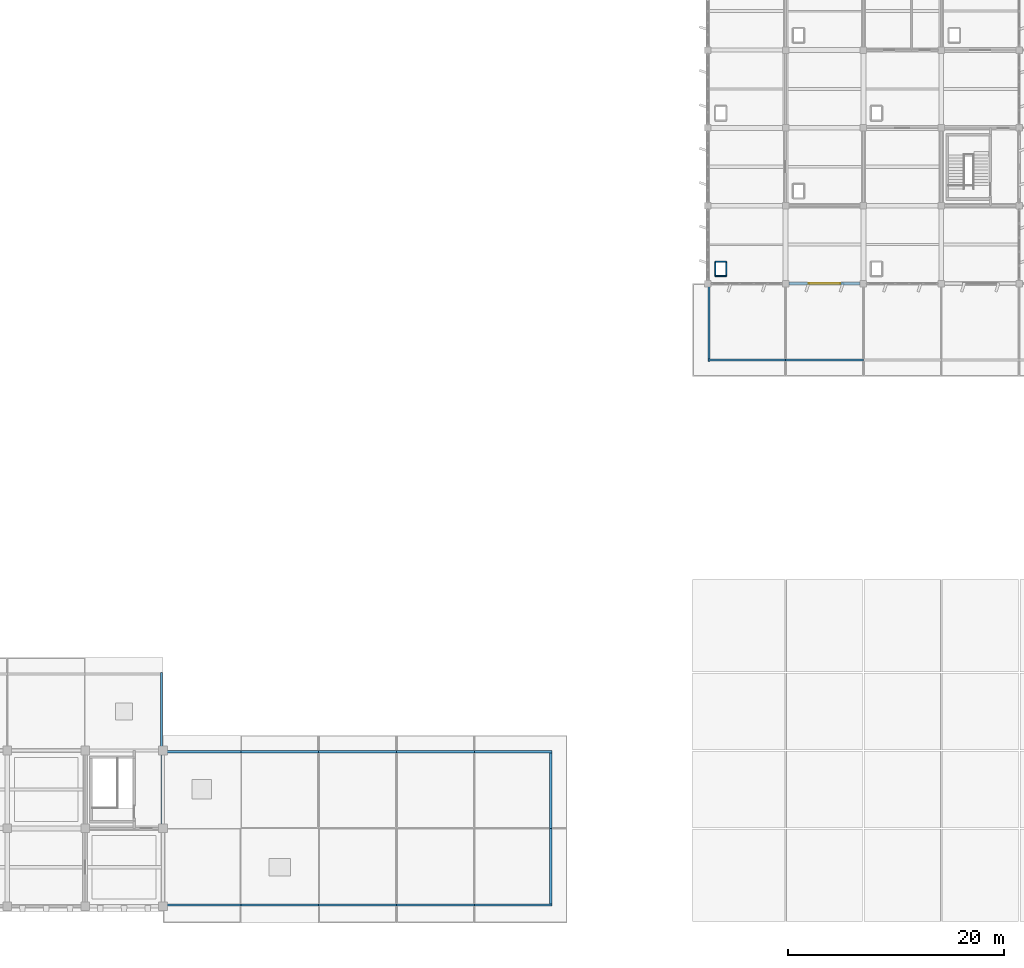
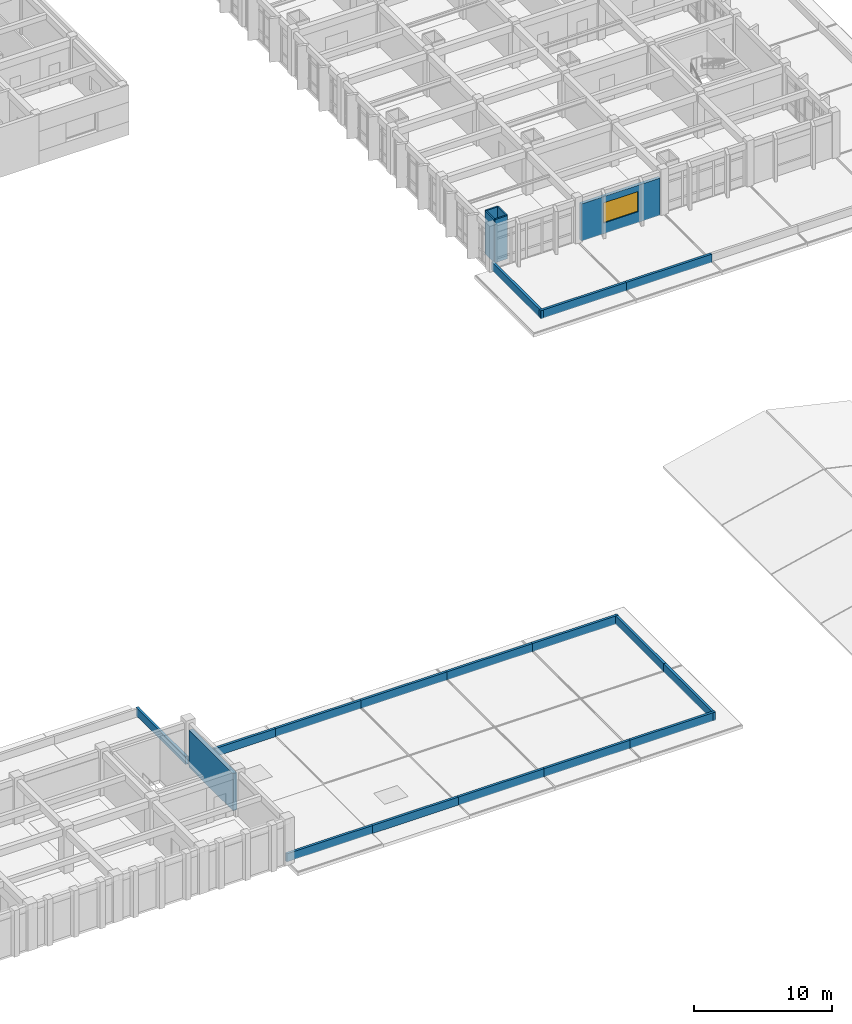
# One storey, part 50 of 62: 22 walls, 1 window, 1 opening.
"""IFC4 building model written with IfcOpenShell, lengths in metres."""

import ifcopenshell
import ifcopenshell.guid

model = None  # the IFC model being written
_history = None  # IfcOwnerHistory: only IFC2X3 demands one
_inside = {}  # id of a spatial element -> (the spatial element, [elements in it])
_under = {}  # id of a project, library or spatial element -> (it, [spatial elements below it])
_declared = {}  # id of a project -> (the project, [libraries it declares])
_typed = {}  # id of a type object -> (the type object, [elements of that type])
_made_of = {}  # id of a material, layer set ... -> (it, [elements and type objects made of it])


def new_model(schema):
    """Start an empty IFC model of exactly this schema.

    Asked for "IFC4X3", IfcOpenShell would pick the latest addendum, in which some entities
    have other attributes; the version numbers below select the first issue.
    IFC2X3 requires an IfcOwnerHistory on every rooted entity: one is made here for all.
    """
    global model, _history
    if schema == "IFC4X3":
        model = ifcopenshell.file(schema_version=(4, 3, 0, 0))
    else:
        model = ifcopenshell.file(schema=schema)
    _inside.clear()
    _under.clear()
    _declared.clear()
    _typed.clear()
    _made_of.clear()
    _history = None
    if model.schema == "IFC2X3":
        org = make("IfcOrganization", Name="unknown")
        user = make(
            "IfcPersonAndOrganization",
            ThePerson=make("IfcPerson", FamilyName="unknown"),
            TheOrganization=org,
        )
        app = make(
            "IfcApplication",
            ApplicationDeveloper=org,
            Version="unknown",
            ApplicationFullName="unknown",
            ApplicationIdentifier="unknown",
        )
        _history = make(
            "IfcOwnerHistory",
            OwningUser=user,
            OwningApplication=app,
            ChangeAction="ADDED",
            CreationDate=0,
        )
    return model


def make(cls, **values):
    """One entity of the class cls with the attributes given. An attribute that is None is left unset."""
    return model.create_entity(
        cls, **{name: value for name, value in values.items() if value is not None}
    )


def rooted(cls, **values):
    """An entity with a GlobalId (a new one), such as an element, a storey or a relation."""
    return make(cls, GlobalId=ifcopenshell.guid.new(), OwnerHistory=_history, **values)


def si_unit(unit_type, name, prefix=None):
    """IfcSIUnit, for example si_unit("LENGTHUNIT", "METRE", prefix="MILLI")."""
    return make("IfcSIUnit", UnitType=unit_type, Prefix=prefix, Name=name)


def assignment(units):
    """IfcUnitAssignment: the units of a project."""
    return None if units is None else make("IfcUnitAssignment", Units=units)


def point(xyz):
    """IfcCartesianPoint."""
    return None if xyz is None else make("IfcCartesianPoint", Coordinates=xyz)


def direction(xyz):
    """IfcDirection."""
    return None if xyz is None else make("IfcDirection", DirectionRatios=xyz)


def frame(location, z_axis=None, x_axis=None):
    """IfcAxis2Placement3D, a coordinate frame: its origin and axes. An axis left out is left unset."""
    return make(
        "IfcAxis2Placement3D",
        Location=point(location),
        Axis=direction(z_axis),
        RefDirection=direction(x_axis),
    )


def frame_2d(location, x_axis=None):
    """IfcAxis2Placement2D, a coordinate frame in the plane: its origin and x axis."""
    return make(
        "IfcAxis2Placement2D", Location=point(location), RefDirection=direction(x_axis)
    )


def origin():
    """The frame at (0, 0, 0) with its axes left unset."""
    return frame((0.0, 0.0, 0.0))


def place(relative_to, where):
    """IfcLocalPlacement: puts the frame where relative to a parent placement (None: the world)."""
    return make(
        "IfcLocalPlacement", PlacementRelTo=relative_to, RelativePlacement=where
    )


def context(
    kind, dimensions, precision=None, world=None, true_north=None, identifier=None
):
    """IfcGeometricRepresentationContext, for example the 3D "Model" context."""
    return make(
        "IfcGeometricRepresentationContext",
        ContextIdentifier=identifier,
        ContextType=kind,
        CoordinateSpaceDimension=dimensions,
        Precision=precision,
        WorldCoordinateSystem=world,
        TrueNorth=true_north,
    )


def subcontext(parent, identifier, kind, view, scale=None):
    """IfcGeometricRepresentationSubContext, for example "Body" below "Model"."""
    return make(
        "IfcGeometricRepresentationSubContext",
        ContextIdentifier=identifier,
        ContextType=kind,
        ParentContext=parent,
        TargetScale=scale,
        TargetView=view,
    )


def project(units=None, contexts=None):
    """IfcProject with its units and contexts."""
    return rooted(
        "IfcProject",
        Name="project",
        RepresentationContexts=contexts,
        UnitsInContext=assignment(units),
    )


def spatial(cls, under=None, at=None, **own):
    """A site, building, storey or space (cls), placed at a placement, below another one or the project."""
    s = rooted(cls, ObjectPlacement=at, **own)
    if under is not None:
        _under.setdefault(under.id(), (under, []))[1].append(s)
    return s


def profile(cls, at=None, kind="AREA", **sizes):
    """A parametric profile (cls). Its sizes go by their IFC names, for example OverallWidth=200.0."""
    return make(cls, ProfileType=kind, Position=at, **sizes)


def rectangle(**sizes):
    """IfcRectangleProfileDef."""
    return profile("IfcRectangleProfileDef", **sizes)


def extrude(swept, where, along, depth):
    """IfcExtrudedAreaSolid: the profile swept, set in the frame where, extruded along a direction by depth."""
    return make(
        "IfcExtrudedAreaSolid",
        SweptArea=swept,
        Position=where,
        ExtrudedDirection=direction(along),
        Depth=depth,
    )


def shape(context_of_items, identifier, shape_type, items):
    """IfcShapeRepresentation: the items that make up one representation, for example the "Body"."""
    return make(
        "IfcShapeRepresentation",
        ContextOfItems=context_of_items,
        RepresentationIdentifier=identifier,
        RepresentationType=shape_type,
        Items=items,
    )


def material(Name=None, Category=None):
    """IfcMaterial."""
    return make("IfcMaterial", Name=Name, Category=Category)


def layer(
    of_material, thickness, ventilated=None, Name=None, Category=None, Priority=None
):
    """IfcMaterialLayer: one layer of a wall or slab, of a material (None: an air gap)."""
    return make(
        "IfcMaterialLayer",
        Material=of_material,
        LayerThickness=thickness,
        IsVentilated=ventilated,
        Name=Name,
        Category=Category,
        Priority=Priority,
    )


def layer_set(layers, Name=None):
    """IfcMaterialLayerSet."""
    return make("IfcMaterialLayerSet", MaterialLayers=layers, LayerSetName=Name)


def made_of(thing, what):
    """Note that an element or type object is made of a material, layer set ...; save() writes the relation."""
    if what is not None:
        _made_of.setdefault(what.id(), (what, []))[1].append(thing)
    return thing


def type_object(cls, material=None, **own):
    """A type object (cls), such as IfcWallType, which elements share."""
    return made_of(rooted(cls, **own), material)


def element(
    cls,
    number,
    at=None,
    inside=None,
    cuts=None,
    type_object=None,
    material=None,
    context=None,
    identifier="Body",
    shape_type=None,
    held_by="IfcProductDefinitionShape",
    body=None,
    shapes=None,
    **own,
):
    """One element of the class cls, such as IfcWall. Its Tag is "e" and its number.

    at: its placement. inside: the storey or other place that contains it. cuts: it is an
    opening in that element (IfcRelVoidsElement). A single representation is given by context,
    identifier, shape_type and body (its items); several are given by shapes. held_by: the class
    of the entity that holds the representations. save() writes the other relations.
    """
    e = rooted(cls, Tag="e%d" % number, ObjectPlacement=at, **own)
    if body is not None:
        shapes = [shape(context, identifier, shape_type, body)]
    if shapes is not None:
        e.Representation = make(held_by, Representations=shapes)
    if inside is not None:
        _inside.setdefault(inside.id(), (inside, []))[1].append(e)
    if cuts is not None:
        rooted(
            "IfcRelVoidsElement", RelatingBuildingElement=cuts, RelatedOpeningElement=e
        )
    if type_object is not None:
        _typed.setdefault(type_object.id(), (type_object, []))[1].append(e)
    return made_of(e, material)


def fill(opening, filler):
    """IfcRelFillsElement: the door or window that sits in an opening."""
    return rooted(
        "IfcRelFillsElement",
        RelatingOpeningElement=opening,
        RelatedBuildingElement=filler,
    )


def aggregate(whole, parts):
    """IfcRelAggregates: a whole, such as a stair, and the parts it consists of."""
    return rooted("IfcRelAggregates", RelatingObject=whole, RelatedObjects=parts)


def save(model, path):
    """Write the relations noted so far, then the file.

    IfcRelAggregates (storeys below a building ...), IfcRelContainedInSpatialStructure (elements
    in a storey), IfcRelDefinesByType, IfcRelAssociatesMaterial and IfcRelDeclares: one each for
    every whole, place, type object, material and project.
    """
    for whole, parts in _under.values():
        aggregate(whole, parts)
    for where, things in _inside.values():
        rooted(
            "IfcRelContainedInSpatialStructure",
            RelatedElements=things,
            RelatingStructure=where,
        )
    for kind, things in _typed.values():
        rooted("IfcRelDefinesByType", RelatedObjects=things, RelatingType=kind)
    for what, things in _made_of.values():
        rooted("IfcRelAssociatesMaterial", RelatedObjects=things, RelatingMaterial=what)
    for by, libraries in _declared.values():
        rooted("IfcRelDeclares", RelatingContext=by, RelatedDefinitions=libraries)
    model.write(path)


model = new_model("IFC4")

# Units and contexts
model_context = context("Model", 3, precision=1e-05, world=origin(), true_north=direction((0.0, 1.0)))
body_context = subcontext(model_context, "Body", "Model", "MODEL_VIEW")
ifc_project = project(units=[si_unit("LENGTHUNIT", "METRE"), si_unit("AREAUNIT", "SQUARE_METRE"), si_unit("VOLUMEUNIT", "CUBIC_METRE"), si_unit("PLANEANGLEUNIT", "RADIAN"), si_unit("MASSUNIT", "GRAM", prefix="KILO")], contexts=[model_context])

# Site, building, storey
site_placement = place(None, origin())
site = spatial("IfcSite", under=ifc_project, at=site_placement, CompositionType="ELEMENT")
building_placement = place(site_placement, origin())
building = spatial("IfcBuilding", under=site, at=building_placement, Name="Kavelor Marine Aquarium", CompositionType="ELEMENT")
storey_placement = place(building_placement, frame((0.0, 0.0, 13.5)))
storey = spatial("IfcBuildingStorey", under=building, at=storey_placement, Name="L03", CompositionType="ELEMENT", Elevation=13.5)

# Wall
ifc_material_1 = material(Name="Concrete C45/55", Category="concrete")
ifc_layer_1 = layer(ifc_material_1, 0.320068359375)
ifc_layer_set_1 = layer_set([ifc_layer_1], Name="WL-EX2")
wall_type_1 = type_object("IfcWallType", Name="WL-EX2", PredefinedType="STANDARD", material=ifc_layer_set_1)
wall_1_placement = place(storey_placement, frame((68.0, 16.804931640625, 0.0), z_axis=(0.0, 0.0, 1.0), x_axis=(0.0, -1.0, 0.0)))
element("IfcWall", 1, at=wall_1_placement, inside=storey, type_object=wall_type_1, Name="ew:y:L03:09_01", PredefinedType="STANDARD", context=body_context, shape_type="SweptSolid", body=[
    extrude(rectangle(XDim=6.409912109375, YDim=0.320068359375, at=frame_2d((3.205078125, 0.0))), origin(), (0.0, 0.0, 1.0), 3.300048828125),
])

# Wall, opening, window
ifc_material_2 = material(Name="Concrete C40/50", Category="concrete")
ifc_layer_2 = layer(ifc_material_2, 0.260009765625)
ifc_layer_set_2 = layer_set([ifc_layer_2], Name="WL-EX5")
wall_type_2 = type_object("IfcWallType", Name="WL-EX5", PredefinedType="STANDARD", material=ifc_layer_set_2)
wall_2_placement = place(storey_placement, frame((132.5048828125, 60.39990234375, 0.0), z_axis=(0.0, 0.0, 1.0), x_axis=(-1.0, 0.0, 0.0)))
wall_2 = element("IfcWall", 2, at=wall_2_placement, inside=storey, type_object=wall_type_2, Name="ew:x:L03:17_08", PredefinedType="STANDARD", context=body_context, shape_type="SweptSolid", body=[
    extrude(rectangle(XDim=6.60986328125, YDim=0.260009765625, at=frame_2d((3.304931640625, 0.0))), origin(), (0.0, 0.0, 1.0), 3.300048828125),
])
opening_placement = place(wall_2_placement, frame((1.85498046875, 0.0, 0.949951171875)))
opening = element("IfcOpeningElement", 3, at=opening_placement, cuts=wall_2, Name="Opening W19", PredefinedType="OPENING", context=body_context, shape_type="SweptSolid", body=[
    extrude(rectangle(XDim=2.89990234375, YDim=1.800048828125, at=frame_2d((1.449951171875, 0.89990234375))), frame((0.0, 0.139892578125, 0.0), z_axis=(0.0, -1.0, 0.0), x_axis=(1.0, 0.0, 0.0)), (0.0, 0.0, 1.0), 0.28001),
])
ifc_material_3 = material(Name="Anodised Aluminium Frame with Low-E Double Glazing", Category="aluminium")
window_type = type_object("IfcWindowType", Name="WIN-W19", PartitioningType="DOUBLE_PANEL_VERTICAL", PredefinedType="WINDOW", material=ifc_material_3)
window_placement = place(opening_placement, origin())
window = element("IfcWindow", 4, at=window_placement, inside=storey, type_object=window_type, Name="win:x:L03:17_08", OverallHeight=1.800048828125, OverallWidth=2.89990234375, PartitioningType="SINGLE_PANEL", PredefinedType="WINDOW", context=body_context, shape_type="SweptSolid", body=[
    extrude(rectangle(XDim=2.89990234375, YDim=1.800048828125, at=frame_2d((1.449951171875, 0.89990234375))), frame((0.0, 0.030029296875, 0.0), z_axis=(0.0, -1.0, 0.0), x_axis=(1.0, 0.0, 0.0)), (0.0, 0.0, 1.0), 0.06005859375),
])
fill(opening, window)

# Walls
ifc_material_4 = material(Name="Concrete C40/50", Category="concrete")
ifc_layer_3 = layer(ifc_material_4, 0.199951171875)
ifc_layer_set_3 = layer_set([ifc_layer_3], Name="WL-PR3")
wall_type_3 = type_object("IfcWallType", Name="WL-PR3", PredefinedType="PARAPET", material=ifc_layer_set_3)
for number, where, z_axis, x_axis, name in (
    (5, (67.8798828125, 17.199951171875, 0.0), (0.0, 0.0, 1.0), (0.0, 1.0, 0.0), "par:e:L03:08_02"),
    (6, (68.0, 2.919921875, 0.0), (0.0, 0.0, 1.0), (1.0, 0.0, 0.0), "par:s:L03:09_00"),
    (7, (68.0, 17.080078125, 0.0), (0.0, 0.0, 1.0), (1.0, 0.0, 0.0), "par:n:L03:09_01"),
    (8, (75.199951171875, 2.919921875, 0.0), (0.0, 0.0, 1.0), (1.0, 0.0, 0.0), "par:s:L03:10_00"),
    (9, (75.199951171875, 17.080078125, 0.0), (0.0, 0.0, 1.0), (1.0, 0.0, 0.0), "par:n:L03:10_01"),
):
    element("IfcWall", number, at=place(storey_placement, frame(where, z_axis=z_axis, x_axis=x_axis)), inside=storey, type_object=wall_type_3, Name=name, PredefinedType="PARAPET", context=body_context, shape_type="SweptSolid", body=[
        extrude(rectangle(XDim=7.199951171875, YDim=0.199951171875, at=frame_2d((3.60009765625, 0.0))), origin(), (0.0, 0.0, 1.0), 0.719970703125),
    ])
for number, where, z_axis, x_axis, name in (
    (10, (82.39990234375, 2.919921875, 0.0), (0.0, 0.0, 1.0), (1.0, 0.0, 0.0), "par:s:L03:11_00"),
    (11, (82.39990234375, 17.080078125, 0.0), (0.0, 0.0, 1.0), (1.0, 0.0, 0.0), "par:n:L03:11_01"),
):
    element("IfcWall", number, at=place(storey_placement, frame(where, z_axis=z_axis, x_axis=x_axis)), inside=storey, type_object=wall_type_3, Name=name, PredefinedType="PARAPET", context=body_context, shape_type="SweptSolid", body=[
        extrude(rectangle(XDim=7.2001953125, YDim=0.199951171875, at=frame_2d((3.60009765625, 0.0))), origin(), (0.0, 0.0, 1.0), 0.719970703125),
    ])
for number, where, z_axis, x_axis, name in (
    (12, (89.60009765625, 2.919921875, 0.0), (0.0, 0.0, 1.0), (1.0, 0.0, 0.0), "par:s:L03:12_00"),
    (13, (89.60009765625, 17.080078125, 0.0), (0.0, 0.0, 1.0), (1.0, 0.0, 0.0), "par:n:L03:12_01"),
    (14, (96.800048828125, 2.919921875, 0.0), (0.0, 0.0, 1.0), (1.0, 0.0, 0.0), "par:s:L03:13_00"),
    (15, (103.8798828125, 2.800048828125, 0.0), (0.0, 0.0, 1.0), (0.0, 1.0, 0.0), "par:e:L03:13_00"),
    (16, (96.800048828125, 17.080078125, 0.0), (0.0, 0.0, 1.0), (1.0, 0.0, 0.0), "par:n:L03:13_01"),
    (17, (103.8798828125, 10.0, 0.0), (0.0, 0.0, 1.0), (0.0, 1.0, 0.0), "par:e:L03:13_01"),
):
    element("IfcWall", number, at=place(storey_placement, frame(where, z_axis=z_axis, x_axis=x_axis)), inside=storey, type_object=wall_type_3, Name=name, PredefinedType="PARAPET", context=body_context, shape_type="SweptSolid", body=[
        extrude(rectangle(XDim=7.199951171875, YDim=0.199951171875, at=frame_2d((3.60009765625, 0.0))), origin(), (0.0, 0.0, 1.0), 0.719970703125),
    ])
wall_3_placement = place(storey_placement, frame((118.39990234375, 53.320068359375, 0.0), z_axis=(0.0, 0.0, 1.0), x_axis=(1.0, 0.0, 0.0)))
element("IfcWall", 18, at=wall_3_placement, inside=storey, type_object=wall_type_3, Name="par:s:L03:16_07", PredefinedType="PARAPET", context=body_context, shape_type="SweptSolid", body=[
    extrude(rectangle(XDim=7.2001953125, YDim=0.199951171875, at=frame_2d((3.60009765625, 0.0))), origin(), (0.0, 0.0, 1.0), 0.719970703125),
])
for number, where, z_axis, x_axis, name in (
    (19, (118.52001953125, 53.199951171875, 0.0), (0.0, 0.0, 1.0), (0.0, 1.0, 0.0), "par:w:L03:16_07"),
    (20, (125.60009765625, 53.320068359375, 0.0), (0.0, 0.0, 1.0), (1.0, 0.0, 0.0), "par:s:L03:17_07"),
):
    element("IfcWall", number, at=place(storey_placement, frame(where, z_axis=z_axis, x_axis=x_axis)), inside=storey, type_object=wall_type_3, Name=name, PredefinedType="PARAPET", context=body_context, shape_type="SweptSolid", body=[
        extrude(rectangle(XDim=7.199951171875, YDim=0.199951171875, at=frame_2d((3.60009765625, 0.0))), origin(), (0.0, 0.0, 1.0), 0.719970703125),
    ])
ifc_material_5 = material(Name="Lightweight Drywall Partition")
ifc_layer_4 = layer(ifc_material_5, 0.1201171875)
ifc_layer_set_4 = layer_set([ifc_layer_4], Name="WL-PT4")
wall_type_4 = type_object("IfcWallType", Name="WL-PT4", PredefinedType="PARTITIONING", material=ifc_layer_set_4)
for number, where, z_axis, x_axis, name in (
    (21, (119.090087890625, 61.090087890625, 0.0), (0.0, 0.0, 1.0), (1.0, 0.0, 0.0), "riser:s:L03:16_08"),
    (22, (119.090087890625, 62.409912109375, 0.0), (0.0, 0.0, 1.0), (1.0, 0.0, 0.0), "riser:n:L03:16_08"),
):
    element("IfcWall", number, at=place(storey_placement, frame(where, z_axis=z_axis, x_axis=x_axis)), inside=storey, type_object=wall_type_4, Name=name, PredefinedType="PARTITIONING", context=body_context, shape_type="SweptSolid", body=[
        extrude(rectangle(XDim=1.02001953125, YDim=0.1201171875, at=frame_2d((0.510009765625, 0.0))), origin(), (0.0, 0.0, 1.0), 3.840087890625),
    ])
for number, where, z_axis, x_axis, name in (
    (23, (119.090087890625, 61.090087890625, 0.0), (0.0, 0.0, 1.0), (0.0, 1.0, 0.0), "riser:w:L03:16_08"),
    (24, (120.110107421875, 61.090087890625, 0.0), (0.0, 0.0, 1.0), (0.0, 1.0, 0.0), "riser:e:L03:16_08"),
):
    element("IfcWall", number, at=place(storey_placement, frame(where, z_axis=z_axis, x_axis=x_axis)), inside=storey, type_object=wall_type_4, Name=name, PredefinedType="PARTITIONING", context=body_context, shape_type="SweptSolid", body=[
        extrude(rectangle(XDim=1.31982421875, YDim=0.1201171875, at=frame_2d((0.659912109375, 0.0))), origin(), (0.0, 0.0, 1.0), 3.840087890625),
    ])

save(model, "model.ifc")
